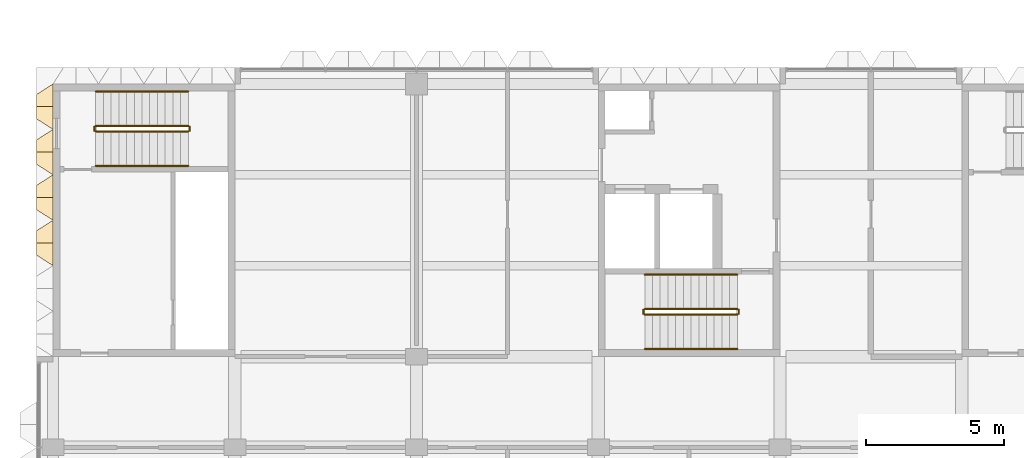
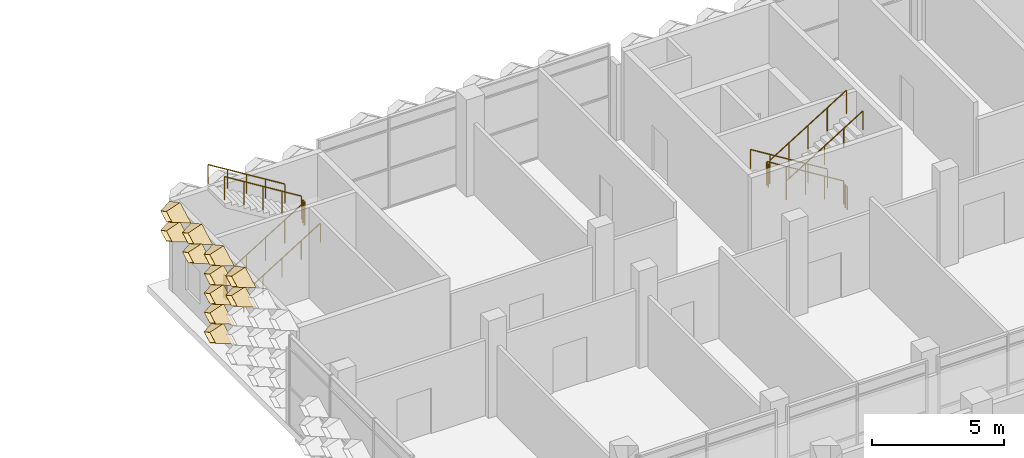
# One storey, part 44 of 87: 12 railings, 11 coverings.
"""IFC4 building model written with IfcOpenShell, lengths in metres."""

from ifc_helpers import new_model, entity, si_unit, direction, frame, origin, origin_2d, place, context, subcontext, project, spatial, circle, extrude, material, layer, layer_set, type_object, element, save


model = new_model("IFC4")

# Units and contexts
model_context = context("Model", 3, precision=1e-05, world=origin(), true_north=direction((0.0, 1.0)))
body_context = subcontext(model_context, "Body", "Model", "MODEL_VIEW")
ifc_project = project(units=[si_unit("LENGTHUNIT", "METRE"), si_unit("AREAUNIT", "SQUARE_METRE"), si_unit("VOLUMEUNIT", "CUBIC_METRE"), si_unit("PLANEANGLEUNIT", "RADIAN"), si_unit("MASSUNIT", "GRAM", prefix="KILO")], contexts=[model_context])

# Site, building, storey
site_placement = place(None, origin())
site = spatial("IfcSite", under=ifc_project, at=site_placement, CompositionType="ELEMENT")
building_placement = place(site_placement, origin())
building = spatial("IfcBuilding", under=site, at=building_placement, Name="Lantern Court Research Institute", CompositionType="ELEMENT")
storey_placement = place(building_placement, frame((0.0, 0.0, 5.39990234375)))
storey = spatial("IfcBuildingStorey", under=building, at=storey_placement, Name="L01", CompositionType="ELEMENT", Elevation=5.39990234375)

# Coverings
ifc_material_1 = material(Name="Anodised aluminium", Category="aluminium")
ifc_layer = layer(ifc_material_1, 0.01611328125)
ifc_layer_set = layer_set([ifc_layer], Name="Anodised aluminium")
covering_type = type_object("IfcCoveringType", Name="Fin cassette 1650 x 900 x 600 aluminium", PredefinedType="CLADDING", material=ifc_layer_set)
covering_1_placement = place(storey_placement, frame((0.0, 18.97509765625, 0.4501953125), z_axis=(-1.0, 0.0, 0.0), x_axis=(0.0, -1.0, 0.0)))
cartesian_point_1 = entity("IfcCartesianPoint", [0.824951171875, 0.0])
cartesian_point_2 = entity("IfcCartesianPoint", [0.79150390625, 0.0])
cartesian_point_3 = entity("IfcCartesianPoint", [0.44189453125, 0.0])
cartesian_point_4 = entity("IfcCartesianPoint", [0.43359375, 0.0])
element("IfcCovering", 1, at=covering_1_placement, inside=storey, type_object=covering_type, Name="Fin cassette V4W-L01 1.12", PredefinedType="CLADDING", context=body_context, shape_type="SweptSolid", body=[
    entity("IfcExtrudedAreaSolidTapered", entity("IfcArbitraryProfileDefWithVoids", "AREA", None, entity("IfcPolyline", [cartesian_point_1, entity("IfcCartesianPoint", [0.0, 0.449951171875]), entity("IfcCartesianPoint", [-0.824951171875, 0.0]), entity("IfcCartesianPoint", [0.0, -0.449951171875]), cartesian_point_1]), [entity("IfcPolyline", [cartesian_point_2, entity("IfcCartesianPoint", [0.0, 0.431884765625]), entity("IfcCartesianPoint", [-0.79150390625, 0.0]), entity("IfcCartesianPoint", [0.0, -0.431884765625]), cartesian_point_2])]), entity("IfcAxis2Placement3D", entity("IfcCartesianPoint", [0.0, 0.0, 0.0])), entity("IfcDirection", [0.0, 0.0, 1.0]), 0.60009765625, entity("IfcArbitraryProfileDefWithVoids", "AREA", None, entity("IfcPolyline", [cartesian_point_3, entity("IfcCartesianPoint", [0.0, 0.240966796875]), entity("IfcCartesianPoint", [-0.44189453125, 0.0]), entity("IfcCartesianPoint", [0.0, -0.240966796875]), cartesian_point_3]), [entity("IfcPolyline", [cartesian_point_4, entity("IfcCartesianPoint", [0.0, 0.236572265625]), entity("IfcCartesianPoint", [-0.43359375, 0.0]), entity("IfcCartesianPoint", [0.0, -0.236572265625]), cartesian_point_4])])),
])
covering_2_placement = place(storey_placement, frame((0.0, 18.97509765625, 1.35009765625), z_axis=(-1.0, 0.0, 0.0), x_axis=(0.0, -1.0, 0.0)))
cartesian_point_5 = entity("IfcCartesianPoint", [0.824951171875, 0.0])
cartesian_point_6 = entity("IfcCartesianPoint", [0.79150390625, 0.0])
cartesian_point_7 = entity("IfcCartesianPoint", [0.44189453125, 0.0])
cartesian_point_8 = entity("IfcCartesianPoint", [0.43359375, 0.0])
element("IfcCovering", 2, at=covering_2_placement, inside=storey, type_object=covering_type, Name="Fin cassette V4W-L01 2.12", PredefinedType="CLADDING", context=body_context, shape_type="SweptSolid", body=[
    entity("IfcExtrudedAreaSolidTapered", entity("IfcArbitraryProfileDefWithVoids", "AREA", None, entity("IfcPolyline", [cartesian_point_5, entity("IfcCartesianPoint", [0.0, 0.449951171875]), entity("IfcCartesianPoint", [-0.824951171875, 0.0]), entity("IfcCartesianPoint", [0.0, -0.449951171875]), cartesian_point_5]), [entity("IfcPolyline", [cartesian_point_6, entity("IfcCartesianPoint", [0.0, 0.431884765625]), entity("IfcCartesianPoint", [-0.79150390625, 0.0]), entity("IfcCartesianPoint", [0.0, -0.431884765625]), cartesian_point_6])]), entity("IfcAxis2Placement3D", entity("IfcCartesianPoint", [0.0, 0.0, 0.0])), entity("IfcDirection", [0.0, 0.0, 1.0]), 0.60009765625, entity("IfcArbitraryProfileDefWithVoids", "AREA", None, entity("IfcPolyline", [cartesian_point_7, entity("IfcCartesianPoint", [0.0, 0.240966796875]), entity("IfcCartesianPoint", [-0.44189453125, 0.0]), entity("IfcCartesianPoint", [0.0, -0.240966796875]), cartesian_point_7]), [entity("IfcPolyline", [cartesian_point_8, entity("IfcCartesianPoint", [0.0, 0.236572265625]), entity("IfcCartesianPoint", [-0.43359375, 0.0]), entity("IfcCartesianPoint", [0.0, -0.236572265625]), cartesian_point_8])])),
])
covering_3_placement = place(storey_placement, frame((0.0, 18.97509765625, 2.25), z_axis=(-1.0, 0.0, 0.0), x_axis=(0.0, -1.0, 0.0)))
cartesian_point_9 = entity("IfcCartesianPoint", [0.824951171875, 0.0])
cartesian_point_10 = entity("IfcCartesianPoint", [0.79150390625, 0.0])
cartesian_point_11 = entity("IfcCartesianPoint", [0.44189453125, 0.0])
cartesian_point_12 = entity("IfcCartesianPoint", [0.43359375, 0.0])
element("IfcCovering", 3, at=covering_3_placement, inside=storey, type_object=covering_type, Name="Fin cassette V4W-L01 3.12", PredefinedType="CLADDING", context=body_context, shape_type="SweptSolid", body=[
    entity("IfcExtrudedAreaSolidTapered", entity("IfcArbitraryProfileDefWithVoids", "AREA", None, entity("IfcPolyline", [cartesian_point_9, entity("IfcCartesianPoint", [0.0, 0.449951171875]), entity("IfcCartesianPoint", [-0.824951171875, 0.0]), entity("IfcCartesianPoint", [0.0, -0.449951171875]), cartesian_point_9]), [entity("IfcPolyline", [cartesian_point_10, entity("IfcCartesianPoint", [0.0, 0.431884765625]), entity("IfcCartesianPoint", [-0.79150390625, 0.0]), entity("IfcCartesianPoint", [0.0, -0.431884765625]), cartesian_point_10])]), entity("IfcAxis2Placement3D", entity("IfcCartesianPoint", [0.0, 0.0, 0.0])), entity("IfcDirection", [0.0, 0.0, 1.0]), 0.60009765625, entity("IfcArbitraryProfileDefWithVoids", "AREA", None, entity("IfcPolyline", [cartesian_point_11, entity("IfcCartesianPoint", [0.0, 0.240966796875]), entity("IfcCartesianPoint", [-0.44189453125, 0.0]), entity("IfcCartesianPoint", [0.0, -0.240966796875]), cartesian_point_11]), [entity("IfcPolyline", [cartesian_point_12, entity("IfcCartesianPoint", [0.0, 0.236572265625]), entity("IfcCartesianPoint", [-0.43359375, 0.0]), entity("IfcCartesianPoint", [0.0, -0.236572265625]), cartesian_point_12])])),
])
covering_4_placement = place(storey_placement, frame((0.0, 17.324951171875, 3.150146484375), z_axis=(-1.0, 0.0, 0.0), x_axis=(0.0, -1.0, 0.0)))
cartesian_point_13 = entity("IfcCartesianPoint", [0.824951171875, 0.0])
cartesian_point_14 = entity("IfcCartesianPoint", [0.79150390625, 0.0])
cartesian_point_15 = entity("IfcCartesianPoint", [0.44189453125, 0.0])
cartesian_point_16 = entity("IfcCartesianPoint", [0.43359375, 0.0])
element("IfcCovering", 4, at=covering_4_placement, inside=storey, type_object=covering_type, Name="Fin cassette V4W-L01 4.11", PredefinedType="CLADDING", context=body_context, shape_type="SweptSolid", body=[
    entity("IfcExtrudedAreaSolidTapered", entity("IfcArbitraryProfileDefWithVoids", "AREA", None, entity("IfcPolyline", [cartesian_point_13, entity("IfcCartesianPoint", [0.0, 0.449951171875]), entity("IfcCartesianPoint", [-0.824951171875, 0.0]), entity("IfcCartesianPoint", [0.0, -0.449951171875]), cartesian_point_13]), [entity("IfcPolyline", [cartesian_point_14, entity("IfcCartesianPoint", [0.0, 0.431884765625]), entity("IfcCartesianPoint", [-0.79150390625, 0.0]), entity("IfcCartesianPoint", [0.0, -0.431884765625]), cartesian_point_14])]), entity("IfcAxis2Placement3D", entity("IfcCartesianPoint", [0.0, 0.0, 0.0])), entity("IfcDirection", [0.0, 0.0, 1.0]), 0.60009765625, entity("IfcArbitraryProfileDefWithVoids", "AREA", None, entity("IfcPolyline", [cartesian_point_15, entity("IfcCartesianPoint", [0.0, 0.240966796875]), entity("IfcCartesianPoint", [-0.44189453125, 0.0]), entity("IfcCartesianPoint", [0.0, -0.240966796875]), cartesian_point_15]), [entity("IfcPolyline", [cartesian_point_16, entity("IfcCartesianPoint", [0.0, 0.236572265625]), entity("IfcCartesianPoint", [-0.43359375, 0.0]), entity("IfcCartesianPoint", [0.0, -0.236572265625]), cartesian_point_16])])),
])
covering_5_placement = place(storey_placement, frame((0.0, 18.97509765625, 3.150146484375), z_axis=(-1.0, 0.0, 0.0), x_axis=(0.0, -1.0, 0.0)))
cartesian_point_17 = entity("IfcCartesianPoint", [0.824951171875, 0.0])
cartesian_point_18 = entity("IfcCartesianPoint", [0.79150390625, 0.0])
cartesian_point_19 = entity("IfcCartesianPoint", [0.44189453125, 0.0])
cartesian_point_20 = entity("IfcCartesianPoint", [0.43359375, 0.0])
element("IfcCovering", 5, at=covering_5_placement, inside=storey, type_object=covering_type, Name="Fin cassette V4W-L01 4.12", PredefinedType="CLADDING", context=body_context, shape_type="SweptSolid", body=[
    entity("IfcExtrudedAreaSolidTapered", entity("IfcArbitraryProfileDefWithVoids", "AREA", None, entity("IfcPolyline", [cartesian_point_17, entity("IfcCartesianPoint", [0.0, 0.449951171875]), entity("IfcCartesianPoint", [-0.824951171875, 0.0]), entity("IfcCartesianPoint", [0.0, -0.449951171875]), cartesian_point_17]), [entity("IfcPolyline", [cartesian_point_18, entity("IfcCartesianPoint", [0.0, 0.431884765625]), entity("IfcCartesianPoint", [-0.79150390625, 0.0]), entity("IfcCartesianPoint", [0.0, -0.431884765625]), cartesian_point_18])]), entity("IfcAxis2Placement3D", entity("IfcCartesianPoint", [0.0, 0.0, 0.0])), entity("IfcDirection", [0.0, 0.0, 1.0]), 0.60009765625, entity("IfcArbitraryProfileDefWithVoids", "AREA", None, entity("IfcPolyline", [cartesian_point_19, entity("IfcCartesianPoint", [0.0, 0.240966796875]), entity("IfcCartesianPoint", [-0.44189453125, 0.0]), entity("IfcCartesianPoint", [0.0, -0.240966796875]), cartesian_point_19]), [entity("IfcPolyline", [cartesian_point_20, entity("IfcCartesianPoint", [0.0, 0.236572265625]), entity("IfcCartesianPoint", [-0.43359375, 0.0]), entity("IfcCartesianPoint", [0.0, -0.236572265625]), cartesian_point_20])])),
])
covering_6_placement = place(storey_placement, frame((0.0, 20.625, 3.150146484375), z_axis=(-1.0, 0.0, 0.0), x_axis=(0.0, -1.0, 0.0)))
cartesian_point_21 = entity("IfcCartesianPoint", [0.824951171875, 0.0])
cartesian_point_22 = entity("IfcCartesianPoint", [0.79150390625, 0.0])
cartesian_point_23 = entity("IfcCartesianPoint", [0.44189453125, 0.0])
cartesian_point_24 = entity("IfcCartesianPoint", [0.43359375, 0.0])
element("IfcCovering", 6, at=covering_6_placement, inside=storey, type_object=covering_type, Name="Fin cassette V4W-L01 4.13", PredefinedType="CLADDING", context=body_context, shape_type="SweptSolid", body=[
    entity("IfcExtrudedAreaSolidTapered", entity("IfcArbitraryProfileDefWithVoids", "AREA", None, entity("IfcPolyline", [cartesian_point_21, entity("IfcCartesianPoint", [0.0, 0.449951171875]), entity("IfcCartesianPoint", [-0.824951171875, 0.0]), entity("IfcCartesianPoint", [0.0, -0.449951171875]), cartesian_point_21]), [entity("IfcPolyline", [cartesian_point_22, entity("IfcCartesianPoint", [0.0, 0.431884765625]), entity("IfcCartesianPoint", [-0.79150390625, 0.0]), entity("IfcCartesianPoint", [0.0, -0.431884765625]), cartesian_point_22])]), entity("IfcAxis2Placement3D", entity("IfcCartesianPoint", [0.0, 0.0, 0.0])), entity("IfcDirection", [0.0, 0.0, 1.0]), 0.60009765625, entity("IfcArbitraryProfileDefWithVoids", "AREA", None, entity("IfcPolyline", [cartesian_point_23, entity("IfcCartesianPoint", [0.0, 0.240966796875]), entity("IfcCartesianPoint", [-0.44189453125, 0.0]), entity("IfcCartesianPoint", [0.0, -0.240966796875]), cartesian_point_23]), [entity("IfcPolyline", [cartesian_point_24, entity("IfcCartesianPoint", [0.0, 0.236572265625]), entity("IfcCartesianPoint", [-0.43359375, 0.0]), entity("IfcCartesianPoint", [0.0, -0.236572265625]), cartesian_point_24])])),
])
covering_7_placement = place(storey_placement, frame((0.0, 22.27490234375, 3.150146484375), z_axis=(-1.0, 0.0, 0.0), x_axis=(0.0, -1.0, 0.0)))
cartesian_point_25 = entity("IfcCartesianPoint", [0.824951171875, 0.0])
cartesian_point_26 = entity("IfcCartesianPoint", [0.79150390625, 0.0])
cartesian_point_27 = entity("IfcCartesianPoint", [0.44189453125, 0.0])
cartesian_point_28 = entity("IfcCartesianPoint", [0.43359375, 0.0])
element("IfcCovering", 7, at=covering_7_placement, inside=storey, type_object=covering_type, Name="Fin cassette V4W-L01 4.14", PredefinedType="CLADDING", context=body_context, shape_type="SweptSolid", body=[
    entity("IfcExtrudedAreaSolidTapered", entity("IfcArbitraryProfileDefWithVoids", "AREA", None, entity("IfcPolyline", [cartesian_point_25, entity("IfcCartesianPoint", [0.0, 0.449951171875]), entity("IfcCartesianPoint", [-0.824951171875, 0.0]), entity("IfcCartesianPoint", [0.0, -0.449951171875]), cartesian_point_25]), [entity("IfcPolyline", [cartesian_point_26, entity("IfcCartesianPoint", [0.0, 0.431884765625]), entity("IfcCartesianPoint", [-0.79150390625, 0.0]), entity("IfcCartesianPoint", [0.0, -0.431884765625]), cartesian_point_26])]), entity("IfcAxis2Placement3D", entity("IfcCartesianPoint", [0.0, 0.0, 0.0])), entity("IfcDirection", [0.0, 0.0, 1.0]), 0.60009765625, entity("IfcArbitraryProfileDefWithVoids", "AREA", None, entity("IfcPolyline", [cartesian_point_27, entity("IfcCartesianPoint", [0.0, 0.240966796875]), entity("IfcCartesianPoint", [-0.44189453125, 0.0]), entity("IfcCartesianPoint", [0.0, -0.240966796875]), cartesian_point_27]), [entity("IfcPolyline", [cartesian_point_28, entity("IfcCartesianPoint", [0.0, 0.236572265625]), entity("IfcCartesianPoint", [-0.43359375, 0.0]), entity("IfcCartesianPoint", [0.0, -0.236572265625]), cartesian_point_28])])),
])
covering_8_placement = place(storey_placement, frame((0.0, 17.324951171875, 4.050048828125), z_axis=(-1.0, 0.0, 0.0), x_axis=(0.0, -1.0, 0.0)))
cartesian_point_29 = entity("IfcCartesianPoint", [0.824951171875, 0.0])
cartesian_point_30 = entity("IfcCartesianPoint", [0.79150390625, 0.0])
cartesian_point_31 = entity("IfcCartesianPoint", [0.44189453125, 0.0])
cartesian_point_32 = entity("IfcCartesianPoint", [0.43359375, 0.0])
element("IfcCovering", 8, at=covering_8_placement, inside=storey, type_object=covering_type, Name="Fin cassette V4W-L01 5.11", PredefinedType="CLADDING", context=body_context, shape_type="SweptSolid", body=[
    entity("IfcExtrudedAreaSolidTapered", entity("IfcArbitraryProfileDefWithVoids", "AREA", None, entity("IfcPolyline", [cartesian_point_29, entity("IfcCartesianPoint", [0.0, 0.449951171875]), entity("IfcCartesianPoint", [-0.824951171875, 0.0]), entity("IfcCartesianPoint", [0.0, -0.449951171875]), cartesian_point_29]), [entity("IfcPolyline", [cartesian_point_30, entity("IfcCartesianPoint", [0.0, 0.431884765625]), entity("IfcCartesianPoint", [-0.79150390625, 0.0]), entity("IfcCartesianPoint", [0.0, -0.431884765625]), cartesian_point_30])]), entity("IfcAxis2Placement3D", entity("IfcCartesianPoint", [0.0, 0.0, 0.0])), entity("IfcDirection", [0.0, 0.0, 1.0]), 0.60009765625, entity("IfcArbitraryProfileDefWithVoids", "AREA", None, entity("IfcPolyline", [cartesian_point_31, entity("IfcCartesianPoint", [0.0, 0.240966796875]), entity("IfcCartesianPoint", [-0.44189453125, 0.0]), entity("IfcCartesianPoint", [0.0, -0.240966796875]), cartesian_point_31]), [entity("IfcPolyline", [cartesian_point_32, entity("IfcCartesianPoint", [0.0, 0.236572265625]), entity("IfcCartesianPoint", [-0.43359375, 0.0]), entity("IfcCartesianPoint", [0.0, -0.236572265625]), cartesian_point_32])])),
])
covering_9_placement = place(storey_placement, frame((0.0, 18.97509765625, 4.050048828125), z_axis=(-1.0, 0.0, 0.0), x_axis=(0.0, -1.0, 0.0)))
cartesian_point_33 = entity("IfcCartesianPoint", [0.824951171875, 0.0])
cartesian_point_34 = entity("IfcCartesianPoint", [0.79150390625, 0.0])
cartesian_point_35 = entity("IfcCartesianPoint", [0.44189453125, 0.0])
cartesian_point_36 = entity("IfcCartesianPoint", [0.43359375, 0.0])
element("IfcCovering", 9, at=covering_9_placement, inside=storey, type_object=covering_type, Name="Fin cassette V4W-L01 5.12", PredefinedType="CLADDING", context=body_context, shape_type="SweptSolid", body=[
    entity("IfcExtrudedAreaSolidTapered", entity("IfcArbitraryProfileDefWithVoids", "AREA", None, entity("IfcPolyline", [cartesian_point_33, entity("IfcCartesianPoint", [0.0, 0.449951171875]), entity("IfcCartesianPoint", [-0.824951171875, 0.0]), entity("IfcCartesianPoint", [0.0, -0.449951171875]), cartesian_point_33]), [entity("IfcPolyline", [cartesian_point_34, entity("IfcCartesianPoint", [0.0, 0.431884765625]), entity("IfcCartesianPoint", [-0.79150390625, 0.0]), entity("IfcCartesianPoint", [0.0, -0.431884765625]), cartesian_point_34])]), entity("IfcAxis2Placement3D", entity("IfcCartesianPoint", [0.0, 0.0, 0.0])), entity("IfcDirection", [0.0, 0.0, 1.0]), 0.60009765625, entity("IfcArbitraryProfileDefWithVoids", "AREA", None, entity("IfcPolyline", [cartesian_point_35, entity("IfcCartesianPoint", [0.0, 0.240966796875]), entity("IfcCartesianPoint", [-0.44189453125, 0.0]), entity("IfcCartesianPoint", [0.0, -0.240966796875]), cartesian_point_35]), [entity("IfcPolyline", [cartesian_point_36, entity("IfcCartesianPoint", [0.0, 0.236572265625]), entity("IfcCartesianPoint", [-0.43359375, 0.0]), entity("IfcCartesianPoint", [0.0, -0.236572265625]), cartesian_point_36])])),
])
covering_10_placement = place(storey_placement, frame((0.0, 20.625, 4.050048828125), z_axis=(-1.0, 0.0, 0.0), x_axis=(0.0, -1.0, 0.0)))
cartesian_point_37 = entity("IfcCartesianPoint", [0.824951171875, 0.0])
cartesian_point_38 = entity("IfcCartesianPoint", [0.79150390625, 0.0])
cartesian_point_39 = entity("IfcCartesianPoint", [0.44189453125, 0.0])
cartesian_point_40 = entity("IfcCartesianPoint", [0.43359375, 0.0])
element("IfcCovering", 10, at=covering_10_placement, inside=storey, type_object=covering_type, Name="Fin cassette V4W-L01 5.13", PredefinedType="CLADDING", context=body_context, shape_type="SweptSolid", body=[
    entity("IfcExtrudedAreaSolidTapered", entity("IfcArbitraryProfileDefWithVoids", "AREA", None, entity("IfcPolyline", [cartesian_point_37, entity("IfcCartesianPoint", [0.0, 0.449951171875]), entity("IfcCartesianPoint", [-0.824951171875, 0.0]), entity("IfcCartesianPoint", [0.0, -0.449951171875]), cartesian_point_37]), [entity("IfcPolyline", [cartesian_point_38, entity("IfcCartesianPoint", [0.0, 0.431884765625]), entity("IfcCartesianPoint", [-0.79150390625, 0.0]), entity("IfcCartesianPoint", [0.0, -0.431884765625]), cartesian_point_38])]), entity("IfcAxis2Placement3D", entity("IfcCartesianPoint", [0.0, 0.0, 0.0])), entity("IfcDirection", [0.0, 0.0, 1.0]), 0.60009765625, entity("IfcArbitraryProfileDefWithVoids", "AREA", None, entity("IfcPolyline", [cartesian_point_39, entity("IfcCartesianPoint", [0.0, 0.240966796875]), entity("IfcCartesianPoint", [-0.44189453125, 0.0]), entity("IfcCartesianPoint", [0.0, -0.240966796875]), cartesian_point_39]), [entity("IfcPolyline", [cartesian_point_40, entity("IfcCartesianPoint", [0.0, 0.236572265625]), entity("IfcCartesianPoint", [-0.43359375, 0.0]), entity("IfcCartesianPoint", [0.0, -0.236572265625]), cartesian_point_40])])),
])
covering_11_placement = place(storey_placement, frame((0.0, 22.27490234375, 4.050048828125), z_axis=(-1.0, 0.0, 0.0), x_axis=(0.0, -1.0, 0.0)))
cartesian_point_41 = entity("IfcCartesianPoint", [0.824951171875, 0.0])
cartesian_point_42 = entity("IfcCartesianPoint", [0.79150390625, 0.0])
cartesian_point_43 = entity("IfcCartesianPoint", [0.44189453125, 0.0])
cartesian_point_44 = entity("IfcCartesianPoint", [0.43359375, 0.0])
element("IfcCovering", 11, at=covering_11_placement, inside=storey, type_object=covering_type, Name="Fin cassette V4W-L01 5.14", PredefinedType="CLADDING", context=body_context, shape_type="SweptSolid", body=[
    entity("IfcExtrudedAreaSolidTapered", entity("IfcArbitraryProfileDefWithVoids", "AREA", None, entity("IfcPolyline", [cartesian_point_41, entity("IfcCartesianPoint", [0.0, 0.449951171875]), entity("IfcCartesianPoint", [-0.824951171875, 0.0]), entity("IfcCartesianPoint", [0.0, -0.449951171875]), cartesian_point_41]), [entity("IfcPolyline", [cartesian_point_42, entity("IfcCartesianPoint", [0.0, 0.431884765625]), entity("IfcCartesianPoint", [-0.79150390625, 0.0]), entity("IfcCartesianPoint", [0.0, -0.431884765625]), cartesian_point_42])]), entity("IfcAxis2Placement3D", entity("IfcCartesianPoint", [0.0, 0.0, 0.0])), entity("IfcDirection", [0.0, 0.0, 1.0]), 0.60009765625, entity("IfcArbitraryProfileDefWithVoids", "AREA", None, entity("IfcPolyline", [cartesian_point_43, entity("IfcCartesianPoint", [0.0, 0.240966796875]), entity("IfcCartesianPoint", [-0.44189453125, 0.0]), entity("IfcCartesianPoint", [0.0, -0.240966796875]), cartesian_point_43]), [entity("IfcPolyline", [cartesian_point_44, entity("IfcCartesianPoint", [0.0, 0.236572265625]), entity("IfcCartesianPoint", [-0.43359375, 0.0]), entity("IfcCartesianPoint", [0.0, -0.236572265625]), cartesian_point_44])])),
])

# Railings
ifc_material_2 = material(Name="Structural steel S355", Category="steel")
railing_type_1 = type_object("IfcRailingType", Name="Stair guard 1100 steel", PredefinedType="GUARDRAIL", material=ifc_material_2)
railing_1_placement = place(storey_placement, frame((1.550048828125, 21.375, 0.173095703125)))
element("IfcRailing", 12, at=railing_1_placement, inside=storey, type_object=railing_type_1, Name="L01 ST-B1 stair guard 1", PredefinedType="GUARDRAIL", context=body_context, shape_type="SweptSolid", body=[
    extrude(circle(Radius=0.02392578125, at=origin_2d()), frame((0.0, 0.0, 1.076171875), z_axis=(0.850606129759, 0.0, 0.525803396734), x_axis=(0.0, 1.0, 0.0)), (0.0, 0.0, 1.0), 3.949951171875),
    extrude(circle(Radius=0.02099609375, at=origin_2d()), origin(), (0.0, 0.0, 1.0), 1.052001953125),
    extrude(circle(Radius=0.02099609375, at=origin_2d()), frame((0.83984375, 0.0, 0.519287109375)), (0.0, 0.0, 1.0), 1.052001953125),
    extrude(circle(Radius=0.02099609375, at=origin_2d()), frame((1.679931640625, 0.0, 1.03857421875)), (0.0, 0.0, 1.0), 1.052001953125),
    extrude(circle(Radius=0.02099609375, at=origin_2d()), frame((2.52001953125, 0.0, 1.5576171875)), (0.0, 0.0, 1.0), 1.052001953125),
    extrude(circle(Radius=0.02099609375, at=origin_2d()), frame((3.35986328125, 0.0, 2.076904296875)), (0.0, 0.0, 1.0), 1.052001953125),
])
railing_2_placement = place(storey_placement, frame((4.9599609375, 21.39990234375, 2.25)))
element("IfcRailing", 13, at=railing_2_placement, inside=storey, type_object=railing_type_1, Name="L01 ST-B1 stair guard 2", PredefinedType="GUARDRAIL", context=body_context, shape_type="SweptSolid", body=[
    extrude(circle(Radius=0.02392578125, at=origin_2d()), frame((0.0, 0.0, 1.076171875), z_axis=(0.0, 1.0, 0.0), x_axis=(-1.0, 0.0, 0.0)), (0.0, 0.0, 1.0), 0.150146484375),
    extrude(circle(Radius=0.02099609375, at=origin_2d()), origin(), (0.0, 0.0, 1.0), 1.052001953125),
    extrude(circle(Radius=0.02099609375, at=origin_2d()), frame((0.0, 0.150146484375, 0.0)), (0.0, 0.0, 1.0), 1.052001953125),
])
railing_3_placement = place(storey_placement, frame((4.909912109375, 21.574951171875, 2.423095703125)))
element("IfcRailing", 14, at=railing_3_placement, inside=storey, type_object=railing_type_1, Name="L01 ST-B1 stair guard 3", PredefinedType="GUARDRAIL", context=body_context, shape_type="SweptSolid", body=[
    extrude(circle(Radius=0.02392578125, at=origin_2d()), frame((0.0, 0.0, 1.076171875), z_axis=(-0.850606129759, 0.0, 0.525803396734), x_axis=(0.0, -1.0, 0.0)), (0.0, 0.0, 1.0), 3.949951171875),
    extrude(circle(Radius=0.02099609375, at=origin_2d()), origin(), (0.0, 0.0, 1.0), 1.052001953125),
    extrude(circle(Radius=0.02099609375, at=origin_2d()), frame((-0.83984375, 0.0, 0.519287109375)), (0.0, 0.0, 1.0), 1.052001953125),
    extrude(circle(Radius=0.02099609375, at=origin_2d()), frame((-1.679931640625, 0.0, 1.03857421875)), (0.0, 0.0, 1.0), 1.052001953125),
    extrude(circle(Radius=0.02099609375, at=origin_2d()), frame((-2.52001953125, 0.0, 1.5576171875)), (0.0, 0.0, 1.0), 1.052001953125),
    extrude(circle(Radius=0.02099609375, at=origin_2d()), frame((-3.35986328125, 0.0, 2.076904296875)), (0.0, 0.0, 1.0), 1.052001953125),
])
railing_4_placement = place(storey_placement, frame((1.5, 21.39990234375, 0.0)))
element("IfcRailing", 15, at=railing_4_placement, inside=storey, type_object=railing_type_1, Name="L01 ST-B1 stair guard 4", PredefinedType="GUARDRAIL", context=body_context, shape_type="SweptSolid", body=[
    extrude(circle(Radius=0.02392578125, at=origin_2d()), frame((0.0, 0.0, 1.076171875), z_axis=(0.0, 1.0, 0.0), x_axis=(-1.0, 0.0, 0.0)), (0.0, 0.0, 1.0), 0.150146484375),
    extrude(circle(Radius=0.02099609375, at=origin_2d()), origin(), (0.0, 0.0, 1.0), 1.052001953125),
    extrude(circle(Radius=0.02099609375, at=origin_2d()), frame((0.0, 0.150146484375, 0.0)), (0.0, 0.0, 1.0), 1.052001953125),
])
railing_5_placement = place(storey_placement, frame((24.85009765625, 14.925048828125, 0.173095703125)))
element("IfcRailing", 16, at=railing_5_placement, inside=storey, type_object=railing_type_1, Name="L01 ST-B2 stair guard 1", PredefinedType="GUARDRAIL", context=body_context, shape_type="SweptSolid", body=[
    extrude(circle(Radius=0.02392578125, at=origin_2d()), frame((0.0, 0.0, 1.076171875), z_axis=(-0.850623216509, 0.0, 0.525775754039), x_axis=(0.0, -1.0, 0.0)), (0.0, 0.0, 1.0), 3.9501953125),
    extrude(circle(Radius=0.02099609375, at=origin_2d()), origin(), (0.0, 0.0, 1.0), 1.052001953125),
    extrude(circle(Radius=0.02099609375, at=origin_2d()), frame((-0.840087890625, 0.0, 0.519287109375)), (0.0, 0.0, 1.0), 1.052001953125),
    extrude(circle(Radius=0.02099609375, at=origin_2d()), frame((-1.68017578125, 0.0, 1.03857421875)), (0.0, 0.0, 1.0), 1.052001953125),
    extrude(circle(Radius=0.02099609375, at=origin_2d()), frame((-2.52001953125, 0.0, 1.5576171875)), (0.0, 0.0, 1.0), 1.052001953125),
    extrude(circle(Radius=0.02099609375, at=origin_2d()), frame((-3.360107421875, 0.0, 2.076904296875)), (0.0, 0.0, 1.0), 1.052001953125),
])
railing_6_placement = place(storey_placement, frame((21.43994140625, 14.89990234375, 2.25)))
element("IfcRailing", 17, at=railing_6_placement, inside=storey, type_object=railing_type_1, Name="L01 ST-B2 stair guard 2", PredefinedType="GUARDRAIL", context=body_context, shape_type="SweptSolid", body=[
    extrude(circle(Radius=0.02392578125, at=origin_2d()), frame((0.0, 0.0, 1.076171875), z_axis=(0.0, -1.0, 0.0), x_axis=(1.0, 0.0, 0.0)), (0.0, 0.0, 1.0), 0.14990234375),
    extrude(circle(Radius=0.02099609375, at=origin_2d()), origin(), (0.0, 0.0, 1.0), 1.052001953125),
    extrude(circle(Radius=0.02099609375, at=origin_2d()), frame((0.0, -0.14990234375, 0.0)), (0.0, 0.0, 1.0), 1.052001953125),
])
railing_7_placement = place(storey_placement, frame((21.489990234375, 14.72509765625, 2.423095703125)))
element("IfcRailing", 18, at=railing_7_placement, inside=storey, type_object=railing_type_1, Name="L01 ST-B2 stair guard 3", PredefinedType="GUARDRAIL", context=body_context, shape_type="SweptSolid", body=[
    extrude(circle(Radius=0.02392578125, at=origin_2d()), frame((0.0, 0.0, 1.076171875), z_axis=(0.850623216509, 0.0, 0.525775754039), x_axis=(0.0, 1.0, 0.0)), (0.0, 0.0, 1.0), 3.9501953125),
    extrude(circle(Radius=0.02099609375, at=origin_2d()), origin(), (0.0, 0.0, 1.0), 1.052001953125),
    extrude(circle(Radius=0.02099609375, at=origin_2d()), frame((0.840087890625, 0.0, 0.519287109375)), (0.0, 0.0, 1.0), 1.052001953125),
    extrude(circle(Radius=0.02099609375, at=origin_2d()), frame((1.68017578125, 0.0, 1.03857421875)), (0.0, 0.0, 1.0), 1.052001953125),
    extrude(circle(Radius=0.02099609375, at=origin_2d()), frame((2.52001953125, 0.0, 1.5576171875)), (0.0, 0.0, 1.0), 1.052001953125),
    extrude(circle(Radius=0.02099609375, at=origin_2d()), frame((3.360107421875, 0.0, 2.076904296875)), (0.0, 0.0, 1.0), 1.052001953125),
])
railing_8_placement = place(storey_placement, frame((24.89990234375, 14.89990234375, 0.0)))
element("IfcRailing", 19, at=railing_8_placement, inside=storey, type_object=railing_type_1, Name="L01 ST-B2 stair guard 4", PredefinedType="GUARDRAIL", context=body_context, shape_type="SweptSolid", body=[
    extrude(circle(Radius=0.02392578125, at=origin_2d()), frame((0.0, 0.0, 1.076171875), z_axis=(0.0, -1.0, 0.0), x_axis=(1.0, 0.0, 0.0)), (0.0, 0.0, 1.0), 0.14990234375),
    extrude(circle(Radius=0.02099609375, at=origin_2d()), origin(), (0.0, 0.0, 1.0), 1.052001953125),
    extrude(circle(Radius=0.02099609375, at=origin_2d()), frame((0.0, -0.14990234375, 0.0)), (0.0, 0.0, 1.0), 1.052001953125),
])
ifc_material_3 = material(Name="Stainless steel 316", Category="steel")
railing_type_2 = type_object("IfcRailingType", Name="Stair handrail 900 steel", PredefinedType="HANDRAIL", material=ifc_material_3)
railing_9_placement = place(storey_placement, frame((1.550048828125, 20.125, 0.173095703125)))
element("IfcRailing", 20, at=railing_9_placement, inside=storey, type_object=railing_type_2, Name="L01 ST-B1 stair handrail 1", PredefinedType="HANDRAIL", context=body_context, shape_type="SweptSolid", body=[
    extrude(circle(Radius=0.02392578125, at=origin_2d()), frame((0.0, 0.0, 0.8759765625), z_axis=(0.850606129759, 0.0, 0.525803396734), x_axis=(0.0, 1.0, 0.0)), (0.0, 0.0, 1.0), 3.949951171875),
    extrude(circle(Radius=0.02099609375, at=origin_2d()), origin(), (0.0, 0.0, 1.0), 0.851806640625),
    extrude(circle(Radius=0.02099609375, at=origin_2d()), frame((0.83984375, 0.0, 0.519287109375)), (0.0, 0.0, 1.0), 0.851806640625),
    extrude(circle(Radius=0.02099609375, at=origin_2d()), frame((1.679931640625, 0.0, 1.03857421875)), (0.0, 0.0, 1.0), 0.851806640625),
    extrude(circle(Radius=0.02099609375, at=origin_2d()), frame((2.52001953125, 0.0, 1.5576171875)), (0.0, 0.0, 1.0), 0.851806640625),
    extrude(circle(Radius=0.02099609375, at=origin_2d()), frame((3.35986328125, 0.0, 2.076904296875)), (0.0, 0.0, 1.0), 0.851806640625),
])
railing_10_placement = place(storey_placement, frame((4.909912109375, 22.824951171875, 2.423095703125)))
element("IfcRailing", 21, at=railing_10_placement, inside=storey, type_object=railing_type_2, Name="L01 ST-B1 stair handrail 2", PredefinedType="HANDRAIL", context=body_context, shape_type="SweptSolid", body=[
    extrude(circle(Radius=0.02392578125, at=origin_2d()), frame((0.0, 0.0, 0.8759765625), z_axis=(-0.850606129759, 0.0, 0.525803396734), x_axis=(0.0, -1.0, 0.0)), (0.0, 0.0, 1.0), 3.949951171875),
    extrude(circle(Radius=0.02099609375, at=origin_2d()), origin(), (0.0, 0.0, 1.0), 0.851806640625),
    extrude(circle(Radius=0.02099609375, at=origin_2d()), frame((-0.83984375, 0.0, 0.519287109375)), (0.0, 0.0, 1.0), 0.851806640625),
    extrude(circle(Radius=0.02099609375, at=origin_2d()), frame((-1.679931640625, 0.0, 1.03857421875)), (0.0, 0.0, 1.0), 0.851806640625),
    extrude(circle(Radius=0.02099609375, at=origin_2d()), frame((-2.52001953125, 0.0, 1.5576171875)), (0.0, 0.0, 1.0), 0.851806640625),
    extrude(circle(Radius=0.02099609375, at=origin_2d()), frame((-3.35986328125, 0.0, 2.076904296875)), (0.0, 0.0, 1.0), 0.851806640625),
])
railing_11_placement = place(storey_placement, frame((24.85009765625, 16.175048828125, 0.173095703125)))
element("IfcRailing", 22, at=railing_11_placement, inside=storey, type_object=railing_type_2, Name="L01 ST-B2 stair handrail 1", PredefinedType="HANDRAIL", context=body_context, shape_type="SweptSolid", body=[
    extrude(circle(Radius=0.02392578125, at=origin_2d()), frame((0.0, 0.0, 0.8759765625), z_axis=(-0.850623216509, 0.0, 0.525775754039), x_axis=(0.0, -1.0, 0.0)), (0.0, 0.0, 1.0), 3.9501953125),
    extrude(circle(Radius=0.02099609375, at=origin_2d()), origin(), (0.0, 0.0, 1.0), 0.851806640625),
    extrude(circle(Radius=0.02099609375, at=origin_2d()), frame((-0.840087890625, 0.0, 0.519287109375)), (0.0, 0.0, 1.0), 0.851806640625),
    extrude(circle(Radius=0.02099609375, at=origin_2d()), frame((-1.68017578125, 0.0, 1.03857421875)), (0.0, 0.0, 1.0), 0.851806640625),
    extrude(circle(Radius=0.02099609375, at=origin_2d()), frame((-2.52001953125, 0.0, 1.5576171875)), (0.0, 0.0, 1.0), 0.851806640625),
    extrude(circle(Radius=0.02099609375, at=origin_2d()), frame((-3.360107421875, 0.0, 2.076904296875)), (0.0, 0.0, 1.0), 0.851806640625),
])
railing_12_placement = place(storey_placement, frame((21.489990234375, 13.47509765625, 2.423095703125)))
element("IfcRailing", 23, at=railing_12_placement, inside=storey, type_object=railing_type_2, Name="L01 ST-B2 stair handrail 2", PredefinedType="HANDRAIL", context=body_context, shape_type="SweptSolid", body=[
    extrude(circle(Radius=0.02392578125, at=origin_2d()), frame((0.0, 0.0, 0.8759765625), z_axis=(0.850623216509, 0.0, 0.525775754039), x_axis=(0.0, 1.0, 0.0)), (0.0, 0.0, 1.0), 3.9501953125),
    extrude(circle(Radius=0.02099609375, at=origin_2d()), origin(), (0.0, 0.0, 1.0), 0.851806640625),
    extrude(circle(Radius=0.02099609375, at=origin_2d()), frame((0.840087890625, 0.0, 0.519287109375)), (0.0, 0.0, 1.0), 0.851806640625),
    extrude(circle(Radius=0.02099609375, at=origin_2d()), frame((1.68017578125, 0.0, 1.03857421875)), (0.0, 0.0, 1.0), 0.851806640625),
    extrude(circle(Radius=0.02099609375, at=origin_2d()), frame((2.52001953125, 0.0, 1.5576171875)), (0.0, 0.0, 1.0), 0.851806640625),
    extrude(circle(Radius=0.02099609375, at=origin_2d()), frame((3.360107421875, 0.0, 2.076904296875)), (0.0, 0.0, 1.0), 0.851806640625),
])

save(model, "model.ifc")
